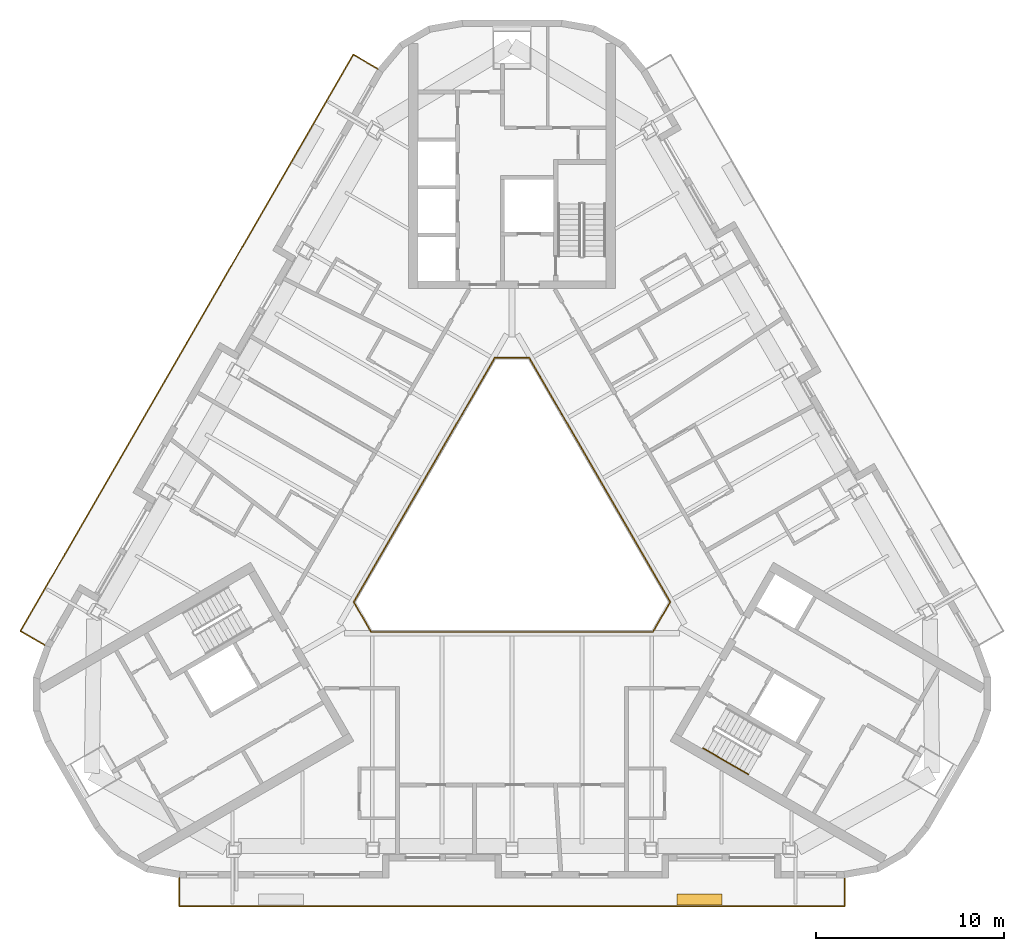
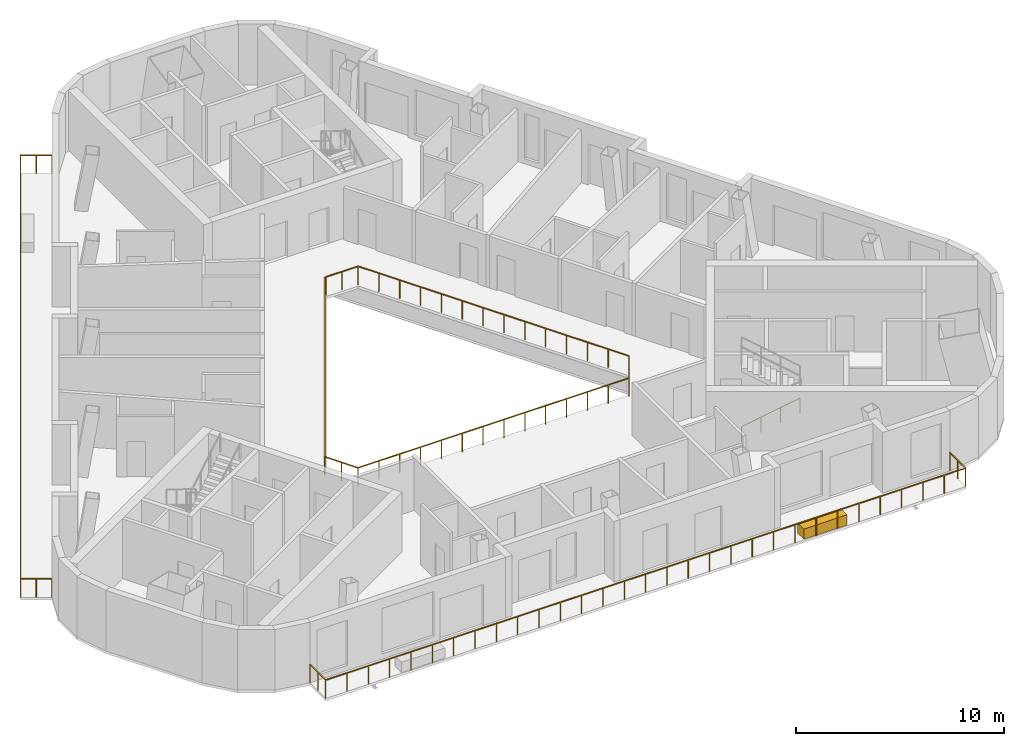
# One storey, part 10 of 13: 5 railings, 1 covering.
"""IFC4 building model written with IfcOpenShell, lengths in metres."""

from ifc_helpers import new_model, si_unit, direction, frame, origin, origin_2d, place, context, subcontext, project, spatial, rectangle, circle, extrude, material, type_object, element, save


model = new_model("IFC4")

# Units and contexts
model_context = context("Model", 3, precision=1e-05, world=origin(), true_north=direction((0.0, 1.0)))
body_context = subcontext(model_context, "Body", "Model", "MODEL_VIEW")
ifc_project = project(units=[si_unit("LENGTHUNIT", "METRE"), si_unit("AREAUNIT", "SQUARE_METRE"), si_unit("VOLUMEUNIT", "CUBIC_METRE"), si_unit("PLANEANGLEUNIT", "RADIAN"), si_unit("MASSUNIT", "GRAM", prefix="KILO")], contexts=[model_context])

# Site, building, storey
site_placement = place(None, origin())
site = spatial("IfcSite", under=ifc_project, at=site_placement, CompositionType="ELEMENT")
building_placement = place(site_placement, origin())
building = spatial("IfcBuilding", under=site, at=building_placement, Name="Apuvela Tower Hotel", CompositionType="ELEMENT")
storey_placement = place(building_placement, frame((0.0, 0.0, 276.300048828125)))
storey = spatial("IfcBuildingStorey", under=building, at=storey_placement, Name="L68", CompositionType="ELEMENT", Elevation=276.300048828125)

# Railings
ifc_material_1 = material(Name="Stainless steel 316 handrail", Category="steel")
railing_type_1 = type_object("IfcRailingType", Name="COR-HANDRAIL-900", PredefinedType="HANDRAIL", material=ifc_material_1)
railing_1_placement = place(storey_placement, frame((10.1689453125, -11.5869140625, 0.168212890625)))
element("IfcRailing", 1, at=railing_1_placement, inside=storey, type_object=railing_type_1, Name="L68 ST3 stair handrail 1", PredefinedType="HANDRAIL", context=body_context, shape_type="SweptSolid", body=[
    extrude(circle(Radius=0.02392578125, at=origin_2d()), frame((0.0, 0.0, 0.8759765625), z_axis=(0.74241905619, -0.428617687091, 0.514879426), x_axis=(0.49998411664, 0.866034573852, 0.0)), (0.0, 0.0, 1.0), 3.26611328125),
    extrude(rectangle(XDim=0.0419921875, YDim=0.0419921875, at=origin_2d()), origin(), (0.0, 0.0, 1.0), 0.851806640625),
    extrude(rectangle(XDim=0.0419921875, YDim=0.0419921875, at=origin_2d()), frame((0.808349609375, -0.466552734375, 0.560546875)), (0.0, 0.0, 1.0), 0.851806640625),
    extrude(rectangle(XDim=0.0419921875, YDim=0.0419921875, at=origin_2d()), frame((1.616455078125, -0.933349609375, 1.12109375)), (0.0, 0.0, 1.0), 0.851806640625),
    extrude(rectangle(XDim=0.0419921875, YDim=0.0419921875, at=origin_2d()), frame((2.4248046875, -1.39990234375, 1.681640625)), (0.0, 0.0, 1.0), 0.851806640625),
])
ifc_material_2 = material(Name="Stainless steel 316 rail with laminated glass infill", Category="steel")
railing_type_2 = type_object("IfcRailingType", Name="ENV-GUARD-1100", PredefinedType="GUARDRAIL", material=ifc_material_2)
railing_2_placement = place(storey_placement, frame((-17.728759765625, -18.495849609375, 0.0)))
element("IfcRailing", 2, at=railing_2_placement, inside=storey, type_object=railing_type_2, Name="Balcony guard S L68", PredefinedType="GUARDRAIL", context=body_context, shape_type="SweptSolid", body=[
    extrude(rectangle(XDim=0.050048828125, YDim=0.050048828125, at=origin_2d()), frame((0.0, 0.0, 1.0751953125), z_axis=(0.0, -1.0, 0.0), x_axis=(1.0, 0.0, 0.0)), (0.0, 0.0, 1.0), 1.5),
    extrude(rectangle(XDim=0.050048828125, YDim=0.050048828125, at=origin_2d()), frame((0.0, -1.5, 1.0751953125), z_axis=(1.0, 0.0, 0.0), x_axis=(0.0, 1.0, 0.0)), (0.0, 0.0, 1.0), 35.45751953125),
    extrude(rectangle(XDim=0.050048828125, YDim=0.050048828125, at=origin_2d()), frame((35.45751953125, -1.5, 1.0751953125), z_axis=(0.0, 1.0, 0.0), x_axis=(-1.0, 0.0, 0.0)), (0.0, 0.0, 1.0), 1.5),
    extrude(rectangle(XDim=0.0400390625, YDim=0.0400390625, at=origin_2d()), origin(), (0.0, 0.0, 1.0), 1.050048828125),
    extrude(rectangle(XDim=0.0400390625, YDim=0.0400390625, at=origin_2d()), frame((0.0, -0.75, 0.0)), (0.0, 0.0, 1.0), 1.050048828125),
    extrude(rectangle(XDim=0.0400390625, YDim=0.0400390625, at=origin_2d()), frame((0.0, -1.5, 0.0)), (0.0, 0.0, 1.0), 1.050048828125),
    extrude(rectangle(XDim=0.0400390625, YDim=0.0400390625, at=origin_2d()), frame((1.181884765625, -1.5, 0.0)), (0.0, 0.0, 1.0), 1.050048828125),
    extrude(rectangle(XDim=0.0400390625, YDim=0.0400390625, at=origin_2d()), frame((2.36376953125, -1.5, 0.0)), (0.0, 0.0, 1.0), 1.050048828125),
    extrude(rectangle(XDim=0.0400390625, YDim=0.0400390625, at=origin_2d()), frame((3.545654296875, -1.5, 0.0)), (0.0, 0.0, 1.0), 1.050048828125),
    extrude(rectangle(XDim=0.0400390625, YDim=0.0400390625, at=origin_2d()), frame((4.727783203125, -1.5, 0.0)), (0.0, 0.0, 1.0), 1.050048828125),
    extrude(rectangle(XDim=0.0400390625, YDim=0.0400390625, at=origin_2d()), frame((5.90966796875, -1.5, 0.0)), (0.0, 0.0, 1.0), 1.050048828125),
    extrude(rectangle(XDim=0.0400390625, YDim=0.0400390625, at=origin_2d()), frame((7.091552734375, -1.5, 0.0)), (0.0, 0.0, 1.0), 1.050048828125),
    extrude(rectangle(XDim=0.0400390625, YDim=0.0400390625, at=origin_2d()), frame((8.2734375, -1.5, 0.0)), (0.0, 0.0, 1.0), 1.050048828125),
    extrude(rectangle(XDim=0.0400390625, YDim=0.0400390625, at=origin_2d()), frame((9.455322265625, -1.5, 0.0)), (0.0, 0.0, 1.0), 1.050048828125),
    extrude(rectangle(XDim=0.0400390625, YDim=0.0400390625, at=origin_2d()), frame((10.63720703125, -1.5, 0.0)), (0.0, 0.0, 1.0), 1.050048828125),
    extrude(rectangle(XDim=0.0400390625, YDim=0.0400390625, at=origin_2d()), frame((11.819091796875, -1.5, 0.0)), (0.0, 0.0, 1.0), 1.050048828125),
    extrude(rectangle(XDim=0.0400390625, YDim=0.0400390625, at=origin_2d()), frame((13.0009765625, -1.5, 0.0)), (0.0, 0.0, 1.0), 1.050048828125),
    extrude(rectangle(XDim=0.0400390625, YDim=0.0400390625, at=origin_2d()), frame((14.18310546875, -1.5, 0.0)), (0.0, 0.0, 1.0), 1.050048828125),
    extrude(rectangle(XDim=0.0400390625, YDim=0.0400390625, at=origin_2d()), frame((15.364990234375, -1.5, 0.0)), (0.0, 0.0, 1.0), 1.050048828125),
    extrude(rectangle(XDim=0.0400390625, YDim=0.0400390625, at=origin_2d()), frame((16.546875, -1.5, 0.0)), (0.0, 0.0, 1.0), 1.050048828125),
    extrude(rectangle(XDim=0.0400390625, YDim=0.0400390625, at=origin_2d()), frame((17.728759765625, -1.5, 0.0)), (0.0, 0.0, 1.0), 1.050048828125),
    extrude(rectangle(XDim=0.0400390625, YDim=0.0400390625, at=origin_2d()), frame((18.91064453125, -1.5, 0.0)), (0.0, 0.0, 1.0), 1.050048828125),
    extrude(rectangle(XDim=0.0400390625, YDim=0.0400390625, at=origin_2d()), frame((20.092529296875, -1.5, 0.0)), (0.0, 0.0, 1.0), 1.050048828125),
    extrude(rectangle(XDim=0.0400390625, YDim=0.0400390625, at=origin_2d()), frame((21.2744140625, -1.5, 0.0)), (0.0, 0.0, 1.0), 1.050048828125),
    extrude(rectangle(XDim=0.0400390625, YDim=0.0400390625, at=origin_2d()), frame((22.45654296875, -1.5, 0.0)), (0.0, 0.0, 1.0), 1.050048828125),
    extrude(rectangle(XDim=0.0400390625, YDim=0.0400390625, at=origin_2d()), frame((23.638427734375, -1.5, 0.0)), (0.0, 0.0, 1.0), 1.050048828125),
    extrude(rectangle(XDim=0.0400390625, YDim=0.0400390625, at=origin_2d()), frame((24.8203125, -1.5, 0.0)), (0.0, 0.0, 1.0), 1.050048828125),
    extrude(rectangle(XDim=0.0400390625, YDim=0.0400390625, at=origin_2d()), frame((26.002197265625, -1.5, 0.0)), (0.0, 0.0, 1.0), 1.050048828125),
    extrude(rectangle(XDim=0.0400390625, YDim=0.0400390625, at=origin_2d()), frame((27.18408203125, -1.5, 0.0)), (0.0, 0.0, 1.0), 1.050048828125),
    extrude(rectangle(XDim=0.0400390625, YDim=0.0400390625, at=origin_2d()), frame((28.365966796875, -1.5, 0.0)), (0.0, 0.0, 1.0), 1.050048828125),
    extrude(rectangle(XDim=0.0400390625, YDim=0.0400390625, at=origin_2d()), frame((29.5478515625, -1.5, 0.0)), (0.0, 0.0, 1.0), 1.050048828125),
    extrude(rectangle(XDim=0.0400390625, YDim=0.0400390625, at=origin_2d()), frame((30.729736328125, -1.5, 0.0)), (0.0, 0.0, 1.0), 1.050048828125),
    extrude(rectangle(XDim=0.0400390625, YDim=0.0400390625, at=origin_2d()), frame((31.911865234375, -1.5, 0.0)), (0.0, 0.0, 1.0), 1.050048828125),
    extrude(rectangle(XDim=0.0400390625, YDim=0.0400390625, at=origin_2d()), frame((33.09375, -1.5, 0.0)), (0.0, 0.0, 1.0), 1.050048828125),
    extrude(rectangle(XDim=0.0400390625, YDim=0.0400390625, at=origin_2d()), frame((34.275634765625, -1.5, 0.0)), (0.0, 0.0, 1.0), 1.050048828125),
    extrude(rectangle(XDim=0.0400390625, YDim=0.0400390625, at=origin_2d()), frame((35.45751953125, -1.5, 0.0)), (0.0, 0.0, 1.0), 1.050048828125),
    extrude(rectangle(XDim=0.0400390625, YDim=0.0400390625, at=origin_2d()), frame((35.45751953125, -0.75, 0.0)), (0.0, 0.0, 1.0), 1.050048828125),
    extrude(rectangle(XDim=0.0400390625, YDim=0.0400390625, at=origin_2d()), frame((35.45751953125, 0.0, 0.0)), (0.0, 0.0, 1.0), 1.050048828125),
])
railing_3_placement = place(storey_placement, frame((-7.153564453125, 24.601318359375, 0.0)))
element("IfcRailing", 3, at=railing_3_placement, inside=storey, type_object=railing_type_2, Name="Balcony guard NW L68", PredefinedType="GUARDRAIL", context=body_context, shape_type="SweptSolid", body=[
    extrude(rectangle(XDim=0.050048828125, YDim=0.050048828125, at=origin_2d()), frame((0.0, 0.0, 1.0751953125), z_axis=(-0.86599040064, 0.500060622324, 0.0), x_axis=(-0.500060622324, -0.86599040064, 0.0)), (0.0, 0.0, 1.0), 1.499755859375),
    extrude(rectangle(XDim=0.050048828125, YDim=0.050048828125, at=origin_2d()), frame((-1.298828125, 0.75, 1.0751953125), z_axis=(-0.500000994306, -0.866024829721, 0.0), x_axis=(0.866024829721, -0.500000994306, 0.0)), (0.0, 0.0, 1.0), 35.45751953125),
    extrude(rectangle(XDim=0.050048828125, YDim=0.050048828125, at=origin_2d()), frame((-19.027587890625, -29.95703125, 1.0751953125), z_axis=(0.866031096941, -0.499990139034, 0.0), x_axis=(0.499990139034, 0.866031096941, 0.0)), (0.0, 0.0, 1.0), 1.5),
    extrude(rectangle(XDim=0.0400390625, YDim=0.0400390625, at=origin_2d()), origin(), (0.0, 0.0, 1.0), 1.050048828125),
    extrude(rectangle(XDim=0.0400390625, YDim=0.0400390625, at=origin_2d()), frame((-0.6494140625, 0.375, 0.0)), (0.0, 0.0, 1.0), 1.050048828125),
    extrude(rectangle(XDim=0.0400390625, YDim=0.0400390625, at=origin_2d()), frame((-1.298828125, 0.75, 0.0)), (0.0, 0.0, 1.0), 1.050048828125),
    extrude(rectangle(XDim=0.0400390625, YDim=0.0400390625, at=origin_2d()), frame((-1.889892578125, -0.273681640625, 0.0)), (0.0, 0.0, 1.0), 1.050048828125),
    extrude(rectangle(XDim=0.0400390625, YDim=0.0400390625, at=origin_2d()), frame((-2.480712890625, -1.297119140625, 0.0)), (0.0, 0.0, 1.0), 1.050048828125),
    extrude(rectangle(XDim=0.0400390625, YDim=0.0400390625, at=origin_2d()), frame((-3.07177734375, -2.32080078125, 0.0)), (0.0, 0.0, 1.0), 1.050048828125),
    extrude(rectangle(XDim=0.0400390625, YDim=0.0400390625, at=origin_2d()), frame((-3.66259765625, -3.34423828125, 0.0)), (0.0, 0.0, 1.0), 1.050048828125),
    extrude(rectangle(XDim=0.0400390625, YDim=0.0400390625, at=origin_2d()), frame((-4.253662109375, -4.367919921875, 0.0)), (0.0, 0.0, 1.0), 1.050048828125),
    extrude(rectangle(XDim=0.0400390625, YDim=0.0400390625, at=origin_2d()), frame((-4.844482421875, -5.391357421875, 0.0)), (0.0, 0.0, 1.0), 1.050048828125),
    extrude(rectangle(XDim=0.0400390625, YDim=0.0400390625, at=origin_2d()), frame((-5.435546875, -6.4150390625, 0.0)), (0.0, 0.0, 1.0), 1.050048828125),
    extrude(rectangle(XDim=0.0400390625, YDim=0.0400390625, at=origin_2d()), frame((-6.026611328125, -7.4384765625, 0.0)), (0.0, 0.0, 1.0), 1.050048828125),
    extrude(rectangle(XDim=0.0400390625, YDim=0.0400390625, at=origin_2d()), frame((-6.617431640625, -8.462158203125, 0.0)), (0.0, 0.0, 1.0), 1.050048828125),
    extrude(rectangle(XDim=0.0400390625, YDim=0.0400390625, at=origin_2d()), frame((-7.20849609375, -9.485595703125, 0.0)), (0.0, 0.0, 1.0), 1.050048828125),
    extrude(rectangle(XDim=0.0400390625, YDim=0.0400390625, at=origin_2d()), frame((-7.79931640625, -10.50927734375, 0.0)), (0.0, 0.0, 1.0), 1.050048828125),
    extrude(rectangle(XDim=0.0400390625, YDim=0.0400390625, at=origin_2d()), frame((-8.390380859375, -11.53271484375, 0.0)), (0.0, 0.0, 1.0), 1.050048828125),
    extrude(rectangle(XDim=0.0400390625, YDim=0.0400390625, at=origin_2d()), frame((-8.981201171875, -12.556396484375, 0.0)), (0.0, 0.0, 1.0), 1.050048828125),
    extrude(rectangle(XDim=0.0400390625, YDim=0.0400390625, at=origin_2d()), frame((-9.572265625, -13.579833984375, 0.0)), (0.0, 0.0, 1.0), 1.050048828125),
    extrude(rectangle(XDim=0.0400390625, YDim=0.0400390625, at=origin_2d()), frame((-10.1630859375, -14.603515625, 0.0)), (0.0, 0.0, 1.0), 1.050048828125),
    extrude(rectangle(XDim=0.0400390625, YDim=0.0400390625, at=origin_2d()), frame((-10.754150390625, -15.627197265625, 0.0)), (0.0, 0.0, 1.0), 1.050048828125),
    extrude(rectangle(XDim=0.0400390625, YDim=0.0400390625, at=origin_2d()), frame((-11.34521484375, -16.650634765625, 0.0)), (0.0, 0.0, 1.0), 1.050048828125),
    extrude(rectangle(XDim=0.0400390625, YDim=0.0400390625, at=origin_2d()), frame((-11.93603515625, -17.67431640625, 0.0)), (0.0, 0.0, 1.0), 1.050048828125),
    extrude(rectangle(XDim=0.0400390625, YDim=0.0400390625, at=origin_2d()), frame((-12.527099609375, -18.69775390625, 0.0)), (0.0, 0.0, 1.0), 1.050048828125),
    extrude(rectangle(XDim=0.0400390625, YDim=0.0400390625, at=origin_2d()), frame((-13.117919921875, -19.721435546875, 0.0)), (0.0, 0.0, 1.0), 1.050048828125),
    extrude(rectangle(XDim=0.0400390625, YDim=0.0400390625, at=origin_2d()), frame((-13.708984375, -20.744873046875, 0.0)), (0.0, 0.0, 1.0), 1.050048828125),
    extrude(rectangle(XDim=0.0400390625, YDim=0.0400390625, at=origin_2d()), frame((-14.2998046875, -21.7685546875, 0.0)), (0.0, 0.0, 1.0), 1.050048828125),
    extrude(rectangle(XDim=0.0400390625, YDim=0.0400390625, at=origin_2d()), frame((-14.890869140625, -22.7919921875, 0.0)), (0.0, 0.0, 1.0), 1.050048828125),
    extrude(rectangle(XDim=0.0400390625, YDim=0.0400390625, at=origin_2d()), frame((-15.48193359375, -23.815673828125, 0.0)), (0.0, 0.0, 1.0), 1.050048828125),
    extrude(rectangle(XDim=0.0400390625, YDim=0.0400390625, at=origin_2d()), frame((-16.07275390625, -24.839111328125, 0.0)), (0.0, 0.0, 1.0), 1.050048828125),
    extrude(rectangle(XDim=0.0400390625, YDim=0.0400390625, at=origin_2d()), frame((-16.663818359375, -25.86279296875, 0.0)), (0.0, 0.0, 1.0), 1.050048828125),
    extrude(rectangle(XDim=0.0400390625, YDim=0.0400390625, at=origin_2d()), frame((-17.254638671875, -26.88623046875, 0.0)), (0.0, 0.0, 1.0), 1.050048828125),
    extrude(rectangle(XDim=0.0400390625, YDim=0.0400390625, at=origin_2d()), frame((-17.845703125, -27.909912109375, 0.0)), (0.0, 0.0, 1.0), 1.050048828125),
    extrude(rectangle(XDim=0.0400390625, YDim=0.0400390625, at=origin_2d()), frame((-18.4365234375, -28.933349609375, 0.0)), (0.0, 0.0, 1.0), 1.050048828125),
    extrude(rectangle(XDim=0.0400390625, YDim=0.0400390625, at=origin_2d()), frame((-19.027587890625, -29.95703125, 0.0)), (0.0, 0.0, 1.0), 1.050048828125),
    extrude(rectangle(XDim=0.0400390625, YDim=0.0400390625, at=origin_2d()), frame((-18.3779296875, -30.33203125, 0.0)), (0.0, 0.0, 1.0), 1.050048828125),
    extrude(rectangle(XDim=0.0400390625, YDim=0.0400390625, at=origin_2d()), frame((-17.728515625, -30.70703125, 0.0)), (0.0, 0.0, 1.0), 1.050048828125),
])
railing_4_placement = place(storey_placement, frame((-0.923828125, 9.199951171875, 0.0)))
element("IfcRailing", 4, at=railing_4_placement, inside=storey, type_object=railing_type_2, Name="Atrium void guard A L68", PredefinedType="GUARDRAIL", context=body_context, shape_type="SweptSolid", body=[
    extrude(rectangle(XDim=0.050048828125, YDim=0.050048828125, at=origin_2d()), frame((0.0, 0.0, 1.0751953125), z_axis=(-0.499990886379, -0.866030665472, 0.0), x_axis=(0.866030665472, -0.499990886379, 0.0)), (0.0, 0.0, 1.0), 15.010986328125),
    extrude(rectangle(XDim=0.050048828125, YDim=0.050048828125, at=origin_2d()), frame((-7.50537109375, -13.0, 1.0751953125), z_axis=(0.499962699187, -0.866046938348, 0.0), x_axis=(0.866046938348, 0.499962699187, 0.0)), (0.0, 0.0, 1.0), 1.847412109375),
    extrude(rectangle(XDim=0.050048828125, YDim=0.050048828125, at=origin_2d()), frame((-6.581787109375, -14.599853515625, 1.0751953125), z_axis=(1.0, 0.0, 0.0), x_axis=(0.0, 1.0, 0.0)), (0.0, 0.0, 1.0), 15.01123046875),
    extrude(rectangle(XDim=0.0400390625, YDim=0.0400390625, at=origin_2d()), origin(), (0.0, 0.0, 1.0), 1.050048828125),
    extrude(rectangle(XDim=0.0400390625, YDim=0.0400390625, at=origin_2d()), frame((-0.577392578125, -1.0, 0.0)), (0.0, 0.0, 1.0), 1.050048828125),
    extrude(rectangle(XDim=0.0400390625, YDim=0.0400390625, at=origin_2d()), frame((-1.15478515625, -2.0, 0.0)), (0.0, 0.0, 1.0), 1.050048828125),
    extrude(rectangle(XDim=0.0400390625, YDim=0.0400390625, at=origin_2d()), frame((-1.73193359375, -3.0, 0.0)), (0.0, 0.0, 1.0), 1.050048828125),
    extrude(rectangle(XDim=0.0400390625, YDim=0.0400390625, at=origin_2d()), frame((-2.309326171875, -4.0, 0.0)), (0.0, 0.0, 1.0), 1.050048828125),
    extrude(rectangle(XDim=0.0400390625, YDim=0.0400390625, at=origin_2d()), frame((-2.88671875, -5.0, 0.0)), (0.0, 0.0, 1.0), 1.050048828125),
    extrude(rectangle(XDim=0.0400390625, YDim=0.0400390625, at=origin_2d()), frame((-3.464111328125, -6.0, 0.0)), (0.0, 0.0, 1.0), 1.050048828125),
    extrude(rectangle(XDim=0.0400390625, YDim=0.0400390625, at=origin_2d()), frame((-4.041259765625, -7.0, 0.0)), (0.0, 0.0, 1.0), 1.050048828125),
    extrude(rectangle(XDim=0.0400390625, YDim=0.0400390625, at=origin_2d()), frame((-4.61865234375, -8.0, 0.0)), (0.0, 0.0, 1.0), 1.050048828125),
    extrude(rectangle(XDim=0.0400390625, YDim=0.0400390625, at=origin_2d()), frame((-5.196044921875, -9.0, 0.0)), (0.0, 0.0, 1.0), 1.050048828125),
    extrude(rectangle(XDim=0.0400390625, YDim=0.0400390625, at=origin_2d()), frame((-5.7734375, -10.0, 0.0)), (0.0, 0.0, 1.0), 1.050048828125),
    extrude(rectangle(XDim=0.0400390625, YDim=0.0400390625, at=origin_2d()), frame((-6.3505859375, -11.0, 0.0)), (0.0, 0.0, 1.0), 1.050048828125),
    extrude(rectangle(XDim=0.0400390625, YDim=0.0400390625, at=origin_2d()), frame((-6.927978515625, -12.0, 0.0)), (0.0, 0.0, 1.0), 1.050048828125),
    extrude(rectangle(XDim=0.0400390625, YDim=0.0400390625, at=origin_2d()), frame((-7.50537109375, -13.0, 0.0)), (0.0, 0.0, 1.0), 1.050048828125),
    extrude(rectangle(XDim=0.0400390625, YDim=0.0400390625, at=origin_2d()), frame((-7.04345703125, -13.7998046875, 0.0)), (0.0, 0.0, 1.0), 1.050048828125),
    extrude(rectangle(XDim=0.0400390625, YDim=0.0400390625, at=origin_2d()), frame((-6.581787109375, -14.599853515625, 0.0)), (0.0, 0.0, 1.0), 1.050048828125),
    extrude(rectangle(XDim=0.0400390625, YDim=0.0400390625, at=origin_2d()), frame((-5.427001953125, -14.599853515625, 0.0)), (0.0, 0.0, 1.0), 1.050048828125),
    extrude(rectangle(XDim=0.0400390625, YDim=0.0400390625, at=origin_2d()), frame((-4.2724609375, -14.599853515625, 0.0)), (0.0, 0.0, 1.0), 1.050048828125),
    extrude(rectangle(XDim=0.0400390625, YDim=0.0400390625, at=origin_2d()), frame((-3.11767578125, -14.599853515625, 0.0)), (0.0, 0.0, 1.0), 1.050048828125),
    extrude(rectangle(XDim=0.0400390625, YDim=0.0400390625, at=origin_2d()), frame((-1.962890625, -14.599853515625, 0.0)), (0.0, 0.0, 1.0), 1.050048828125),
    extrude(rectangle(XDim=0.0400390625, YDim=0.0400390625, at=origin_2d()), frame((-0.808349609375, -14.599853515625, 0.0)), (0.0, 0.0, 1.0), 1.050048828125),
    extrude(rectangle(XDim=0.0400390625, YDim=0.0400390625, at=origin_2d()), frame((0.346435546875, -14.599853515625, 0.0)), (0.0, 0.0, 1.0), 1.050048828125),
    extrude(rectangle(XDim=0.0400390625, YDim=0.0400390625, at=origin_2d()), frame((1.501220703125, -14.599853515625, 0.0)), (0.0, 0.0, 1.0), 1.050048828125),
    extrude(rectangle(XDim=0.0400390625, YDim=0.0400390625, at=origin_2d()), frame((2.656005859375, -14.599853515625, 0.0)), (0.0, 0.0, 1.0), 1.050048828125),
    extrude(rectangle(XDim=0.0400390625, YDim=0.0400390625, at=origin_2d()), frame((3.810546875, -14.599853515625, 0.0)), (0.0, 0.0, 1.0), 1.050048828125),
    extrude(rectangle(XDim=0.0400390625, YDim=0.0400390625, at=origin_2d()), frame((4.96533203125, -14.599853515625, 0.0)), (0.0, 0.0, 1.0), 1.050048828125),
    extrude(rectangle(XDim=0.0400390625, YDim=0.0400390625, at=origin_2d()), frame((6.1201171875, -14.599853515625, 0.0)), (0.0, 0.0, 1.0), 1.050048828125),
    extrude(rectangle(XDim=0.0400390625, YDim=0.0400390625, at=origin_2d()), frame((7.274658203125, -14.599853515625, 0.0)), (0.0, 0.0, 1.0), 1.050048828125),
    extrude(rectangle(XDim=0.0400390625, YDim=0.0400390625, at=origin_2d()), frame((8.429443359375, -14.599853515625, 0.0)), (0.0, 0.0, 1.0), 1.050048828125),
])
railing_5_placement = place(storey_placement, frame((7.53564453125, -5.347900390625, 0.0)))
element("IfcRailing", 5, at=railing_5_placement, inside=storey, type_object=railing_type_2, Name="Atrium void guard B L68", PredefinedType="GUARDRAIL", context=body_context, shape_type="SweptSolid", body=[
    extrude(rectangle(XDim=0.050048828125, YDim=0.050048828125, at=origin_2d()), frame((0.0, 0.0, 1.0751953125), z_axis=(0.499958946799, 0.866049104564, 0.0), x_axis=(-0.866049104564, 0.499958946799, 0.0)), (0.0, 0.0, 1.0), 1.787353515625),
    extrude(rectangle(XDim=0.050048828125, YDim=0.050048828125, at=origin_2d()), frame((0.8935546875, 1.5478515625, 1.0751953125), z_axis=(-0.499990886379, 0.866030665472, 0.0), x_axis=(-0.866030665472, -0.499990886379, 0.0)), (0.0, 0.0, 1.0), 15.010986328125),
    extrude(rectangle(XDim=0.050048828125, YDim=0.050048828125, at=origin_2d()), frame((-6.61181640625, 14.5478515625, 1.0751953125), z_axis=(-1.0, 0.0, 0.0), x_axis=(0.0, -1.0, 0.0)), (0.0, 0.0, 1.0), 1.78759765625),
    extrude(rectangle(XDim=0.0400390625, YDim=0.0400390625, at=origin_2d()), origin(), (0.0, 0.0, 1.0), 1.050048828125),
    extrude(rectangle(XDim=0.0400390625, YDim=0.0400390625, at=origin_2d()), frame((0.44677734375, 0.77392578125, 0.0)), (0.0, 0.0, 1.0), 1.050048828125),
    extrude(rectangle(XDim=0.0400390625, YDim=0.0400390625, at=origin_2d()), frame((0.8935546875, 1.5478515625, 0.0)), (0.0, 0.0, 1.0), 1.050048828125),
    extrude(rectangle(XDim=0.0400390625, YDim=0.0400390625, at=origin_2d()), frame((0.316162109375, 2.5478515625, 0.0)), (0.0, 0.0, 1.0), 1.050048828125),
    extrude(rectangle(XDim=0.0400390625, YDim=0.0400390625, at=origin_2d()), frame((-0.26123046875, 3.5478515625, 0.0)), (0.0, 0.0, 1.0), 1.050048828125),
    extrude(rectangle(XDim=0.0400390625, YDim=0.0400390625, at=origin_2d()), frame((-0.83837890625, 4.5478515625, 0.0)), (0.0, 0.0, 1.0), 1.050048828125),
    extrude(rectangle(XDim=0.0400390625, YDim=0.0400390625, at=origin_2d()), frame((-1.415771484375, 5.5478515625, 0.0)), (0.0, 0.0, 1.0), 1.050048828125),
    extrude(rectangle(XDim=0.0400390625, YDim=0.0400390625, at=origin_2d()), frame((-1.9931640625, 6.5478515625, 0.0)), (0.0, 0.0, 1.0), 1.050048828125),
    extrude(rectangle(XDim=0.0400390625, YDim=0.0400390625, at=origin_2d()), frame((-2.570556640625, 7.5478515625, 0.0)), (0.0, 0.0, 1.0), 1.050048828125),
    extrude(rectangle(XDim=0.0400390625, YDim=0.0400390625, at=origin_2d()), frame((-3.147705078125, 8.5478515625, 0.0)), (0.0, 0.0, 1.0), 1.050048828125),
    extrude(rectangle(XDim=0.0400390625, YDim=0.0400390625, at=origin_2d()), frame((-3.72509765625, 9.5478515625, 0.0)), (0.0, 0.0, 1.0), 1.050048828125),
    extrude(rectangle(XDim=0.0400390625, YDim=0.0400390625, at=origin_2d()), frame((-4.302490234375, 10.5478515625, 0.0)), (0.0, 0.0, 1.0), 1.050048828125),
    extrude(rectangle(XDim=0.0400390625, YDim=0.0400390625, at=origin_2d()), frame((-4.8798828125, 11.5478515625, 0.0)), (0.0, 0.0, 1.0), 1.050048828125),
    extrude(rectangle(XDim=0.0400390625, YDim=0.0400390625, at=origin_2d()), frame((-5.45703125, 12.5478515625, 0.0)), (0.0, 0.0, 1.0), 1.050048828125),
    extrude(rectangle(XDim=0.0400390625, YDim=0.0400390625, at=origin_2d()), frame((-6.034423828125, 13.5478515625, 0.0)), (0.0, 0.0, 1.0), 1.050048828125),
    extrude(rectangle(XDim=0.0400390625, YDim=0.0400390625, at=origin_2d()), frame((-6.61181640625, 14.5478515625, 0.0)), (0.0, 0.0, 1.0), 1.050048828125),
    extrude(rectangle(XDim=0.0400390625, YDim=0.0400390625, at=origin_2d()), frame((-7.505615234375, 14.5478515625, 0.0)), (0.0, 0.0, 1.0), 1.050048828125),
    extrude(rectangle(XDim=0.0400390625, YDim=0.0400390625, at=origin_2d()), frame((-8.3994140625, 14.5478515625, 0.0)), (0.0, 0.0, 1.0), 1.050048828125),
])

# Covering
ifc_material_3 = material(Name="Planting substrate and soil, planted")
covering_type = type_object("IfcCoveringType", Name="ENV-PLANTER-2400x600", PredefinedType="USERDEFINED", material=ifc_material_3)
covering_placement = place(storey_placement, frame((9.99365234375, -19.645751953125, 0.0), z_axis=(0.0, 0.0, 1.0), x_axis=(1.0, 0.0, 0.0)))
element("IfcCovering", 6, at=covering_placement, inside=storey, type_object=covering_type, Name="Planter S2", ObjectType="PLANTER", PredefinedType="USERDEFINED", context=body_context, shape_type="SweptSolid", body=[
    extrude(rectangle(XDim=2.39990234375, YDim=0.60009765625, at=origin_2d()), origin(), (0.0, 0.0, 1.0), 0.60009765625),
])

save(model, "model.ifc")
